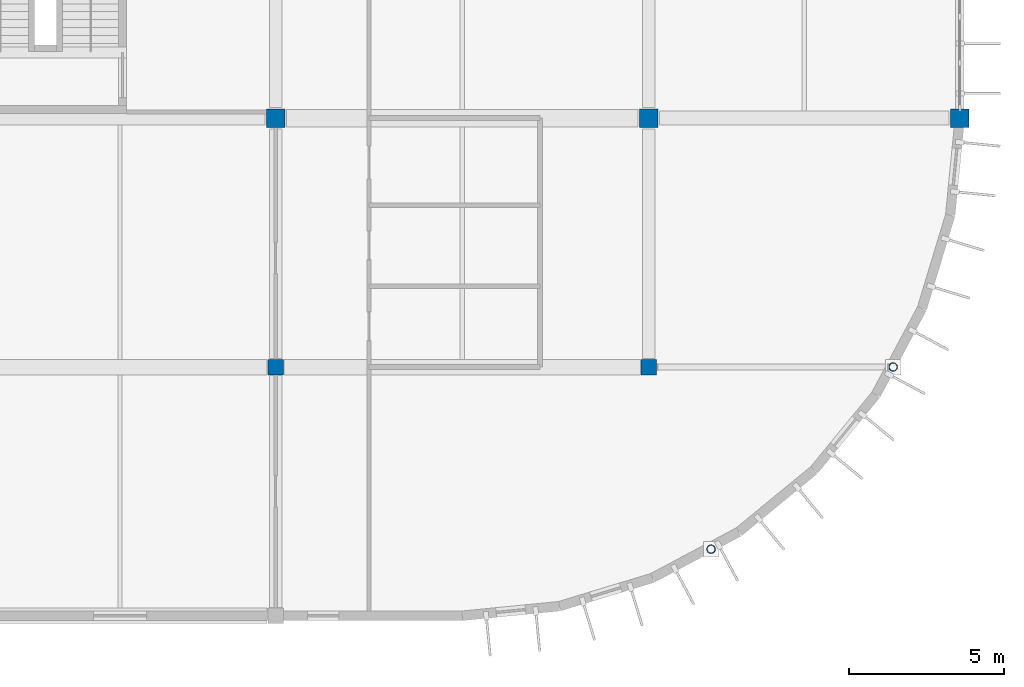
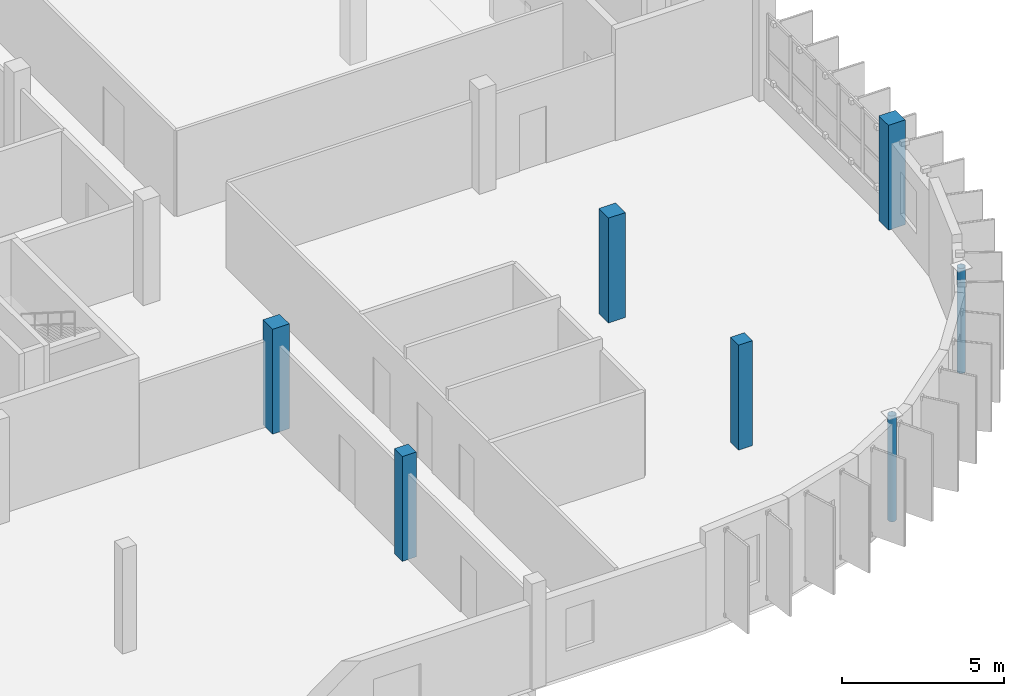
# One storey, part 7 of 66: 7 columns.
"""IFC4 building model written with IfcOpenShell, lengths in metres."""

from ifc_helpers import new_model, si_unit, direction, frame, origin, origin_2d, place, context, subcontext, project, spatial, rectangle, hollow_circle, extrude, material, material_profile, profile_set, type_object, element, save


model = new_model("IFC4")

# Units and contexts
model_context = context("Model", 3, precision=1e-05, world=origin(), true_north=direction((0.0, 1.0)))
body_context = subcontext(model_context, "Body", "Model", "MODEL_VIEW")
ifc_project = project(units=[si_unit("LENGTHUNIT", "METRE"), si_unit("AREAUNIT", "SQUARE_METRE"), si_unit("VOLUMEUNIT", "CUBIC_METRE"), si_unit("PLANEANGLEUNIT", "RADIAN"), si_unit("MASSUNIT", "GRAM", prefix="KILO")], contexts=[model_context])

# Site, building, storey
site_placement = place(None, origin())
site = spatial("IfcSite", under=ifc_project, at=site_placement, CompositionType="ELEMENT")
building_placement = place(site_placement, origin())
building = spatial("IfcBuilding", under=site, at=building_placement, Name="Drelvana Railside Aquatics Centre", CompositionType="ELEMENT")
storey_placement = place(building_placement, frame((0.0, 0.0, 10.199951171875)))
storey = spatial("IfcBuildingStorey", under=building, at=storey_placement, Name="L02", CompositionType="ELEMENT", Elevation=10.199951171875)

# Columns
ifc_material_1 = material(Name="Concrete C40/50", Category="concrete")
ifc_material_profile_1 = material_profile(ifc_material_1, rectangle(XDim=0.5, YDim=0.5, at=origin_2d()), Name="RC 500x500")
ifc_profile_set_1 = profile_set([ifc_material_profile_1], Name="Concrete C40/50")
column_type_1 = type_object("IfcColumnType", Name="STR-COL-RC-500x500", PredefinedType="COLUMN", material=ifc_profile_set_1)
for number, where, z_axis, x_axis, name in (
    (1, (162.0, 16.0, 0.0), (0.0, 0.0, 1.0), (1.0, 0.0, 0.0), "Column C-02 (L02)"),
    (2, (174.0, 16.0, 0.0), (0.0, 0.0, 1.0), (1.0, 0.0, 0.0), "Column C-02 (L02)"),
):
    element("IfcColumn", number, at=place(storey_placement, frame(where, z_axis=z_axis, x_axis=x_axis)), inside=storey, type_object=column_type_1, Name=name, PredefinedType="COLUMN", context=body_context, shape_type="SweptSolid", body=[
        extrude(rectangle(XDim=0.5, YDim=0.5, at=origin_2d()), origin(), (0.0, 0.0, 1.0), 3.9599609375),
    ])
ifc_material_profile_2 = material_profile(ifc_material_1, rectangle(XDim=0.60009765625, YDim=0.60009765625, at=origin_2d()), Name="RC 600x600")
ifc_profile_set_2 = profile_set([ifc_material_profile_2], Name="Concrete C40/50")
column_type_2 = type_object("IfcColumnType", Name="STR-COL-RC-600x600", PredefinedType="COLUMN", material=ifc_profile_set_2)
for number, where, z_axis, x_axis, name in (
    (3, (162.0, 24.0, 0.0), (0.0, 0.0, 1.0), (1.0, 0.0, 0.0), "Column C-04 (L02)"),
    (4, (174.0, 24.0, 0.0), (0.0, 0.0, 1.0), (1.0, 0.0, 0.0), "Column C-04 (L02)"),
    (5, (184.0, 24.0, 0.0), (0.0, 0.0, 1.0), (1.0, 0.0, 0.0), "Column C-04 (L02)"),
):
    element("IfcColumn", number, at=place(storey_placement, frame(where, z_axis=z_axis, x_axis=x_axis)), inside=storey, type_object=column_type_2, Name=name, PredefinedType="COLUMN", context=body_context, shape_type="SweptSolid", body=[
        extrude(rectangle(XDim=0.60009765625, YDim=0.60009765625, at=origin_2d()), origin(), (0.0, 0.0, 1.0), 3.9599609375),
    ])
ifc_material_2 = material(Name="Structural steel S355", Category="steel")
ifc_material_profile_3 = material_profile(ifc_material_2, hollow_circle(Radius=0.136474609375, WallThickness=0.012451171875, at=origin_2d()), Name="CHS 273x12.5")
ifc_profile_set_3 = profile_set([ifc_material_profile_3], Name="Structural steel S355")
column_type_3 = type_object("IfcColumnType", Name="STR-SCOL-CHS-273x12.5", PredefinedType="PILASTER", material=ifc_profile_set_3)
column_1_placement = place(storey_placement, frame((176.0, 10.1435546875, 0.0), z_axis=(0.0, 0.0, 1.0), x_axis=(1.0, 0.0, 0.0)))
element("IfcColumn", 6, at=column_1_placement, inside=storey, type_object=column_type_3, Name="Column SC-07 (L02)", PredefinedType="PILASTER", context=body_context, shape_type="SweptSolid", body=[
    extrude(hollow_circle(Radius=0.136474609375, WallThickness=0.012451171875, at=origin_2d()), origin(), (0.0, 0.0, 1.0), 3.989990234375),
])
column_2_placement = place(storey_placement, frame((181.8564453125, 16.0, 0.0), z_axis=(0.0, 0.0, 1.0), x_axis=(1.0, 0.0, 0.0)))
element("IfcColumn", 7, at=column_2_placement, inside=storey, type_object=column_type_3, Name="Column SC-07 (L02)", PredefinedType="PILASTER", context=body_context, shape_type="SweptSolid", body=[
    extrude(hollow_circle(Radius=0.136474609375, WallThickness=0.012451171875, at=origin_2d()), origin(), (0.0, 0.0, 1.0), 3.9599609375),
])

save(model, "model.ifc")
